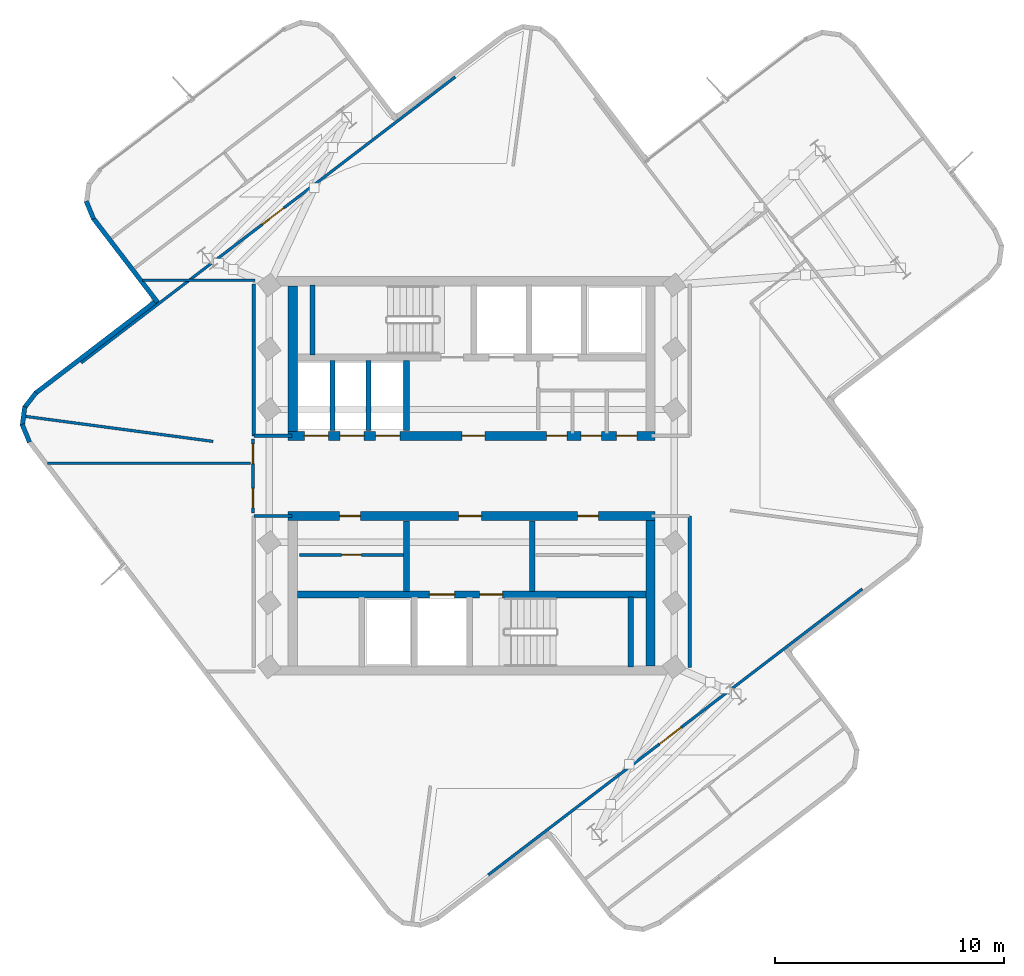
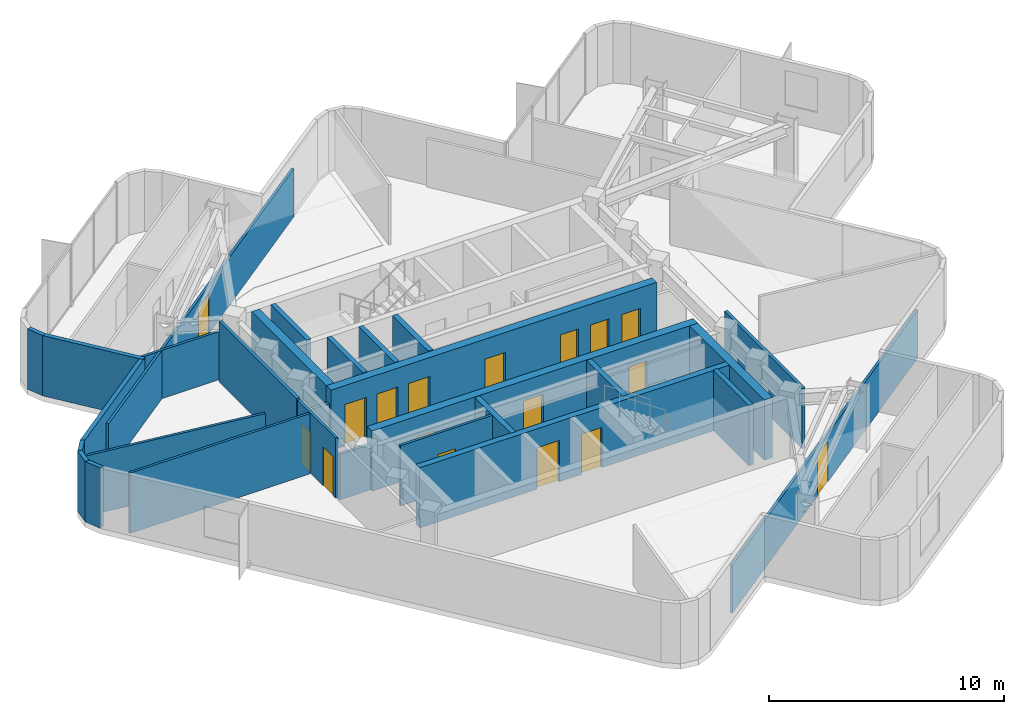
# One storey, part 4 of 8: 29 walls, 17 doors, 17 openings.
"""IFC4 building model written with IfcOpenShell, lengths in metres."""

from ifc_helpers import new_model, si_unit, direction, frame, frame_2d, origin, place, context, subcontext, project, spatial, rectangle, extrude, material, layer, layer_set, type_object, element, fill, save


model = new_model("IFC4")

# Units and contexts
model_context = context("Model", 3, precision=1e-05, world=origin(), true_north=direction((0.0, 1.0)))
body_context = subcontext(model_context, "Body", "Model", "MODEL_VIEW")
ifc_project = project(units=[si_unit("LENGTHUNIT", "METRE"), si_unit("AREAUNIT", "SQUARE_METRE"), si_unit("VOLUMEUNIT", "CUBIC_METRE"), si_unit("PLANEANGLEUNIT", "RADIAN"), si_unit("MASSUNIT", "GRAM", prefix="KILO")], contexts=[model_context])

# Site, building, storey
site_placement = place(None, origin())
site = spatial("IfcSite", under=ifc_project, at=site_placement, CompositionType="ELEMENT")
building_placement = place(site_placement, origin())
building = spatial("IfcBuilding", under=site, at=building_placement, Name="Solmarez Civic Tower", CompositionType="ELEMENT")
storey_placement = place(building_placement, frame((0.0, 0.0, 232.56005859375)))
storey = spatial("IfcBuildingStorey", under=building, at=storey_placement, Name="L62", CompositionType="ELEMENT", Elevation=232.56005859375)

# Wall, openings, doors
ifc_material_1 = material(Name="Concrete C50/60", Category="concrete")
ifc_layer_1 = layer(ifc_material_1, 0.39990234375)
ifc_layer_set_1 = layer_set([ifc_layer_1], Name="Concrete C50/60")
wall_type_1 = type_object("IfcWallType", Name="WALL-CORE-400", PredefinedType="SHEAR", material=ifc_layer_set_1)
wall_1_placement = place(storey_placement, frame((8.02001953125, 1.75, 0.0), z_axis=(0.0, 0.0, 1.0), x_axis=(-1.0, 0.0, 0.0)))
wall_1 = element("IfcWall", 1, at=wall_1_placement, inside=storey, type_object=wall_type_1, Name="L62 Split-Core Structural Wall NCW-S-L62", PredefinedType="SHEAR", context=body_context, shape_type="SweptSolid", body=[
    extrude(rectangle(XDim=16.0400390625, YDim=0.39990234375, at=frame_2d((8.02001953125, 0.0))), origin(), (0.0, 0.0, 1.0), 3.139892578125),
])
opening_1_placement = place(wall_1_placement, frame((7.449951171875, 0.0, 0.0)))
opening_1 = element("IfcOpeningElement", 2, at=opening_1_placement, cuts=wall_1, Name="Opening D-04", PredefinedType="OPENING", context=body_context, shape_type="SweptSolid", body=[
    extrude(rectangle(XDim=1.0, YDim=2.10009765625, at=frame_2d((0.5, 1.050048828125))), frame((0.0, 0.2099609375, 0.0), z_axis=(0.0, -1.0, 0.0), x_axis=(1.0, 0.0, 0.0)), (0.0, 0.0, 1.0), 0.419921875),
])
opening_2_placement = place(wall_1_placement, frame((14.284912109375, 0.0, 0.0)))
opening_2 = element("IfcOpeningElement", 3, at=opening_2_placement, cuts=wall_1, Name="Opening LD-01", PredefinedType="OPENING", context=body_context, shape_type="SweptSolid", body=[
    extrude(rectangle(XDim=1.050048828125, YDim=2.14990234375, at=frame_2d((0.52490234375, 1.074951171875))), frame((0.0, 0.2099609375, 0.0), z_axis=(0.0, -1.0, 0.0), x_axis=(1.0, 0.0, 0.0)), (0.0, 0.0, 1.0), 0.419921875),
])
opening_3_placement = place(wall_1_placement, frame((12.72509765625, 0.0, 0.0)))
opening_3 = element("IfcOpeningElement", 4, at=opening_3_placement, cuts=wall_1, Name="Opening LD-01", PredefinedType="OPENING", context=body_context, shape_type="SweptSolid", body=[
    extrude(rectangle(XDim=1.050048828125, YDim=2.14990234375, at=frame_2d((0.52490234375, 1.074951171875))), frame((0.0, 0.2099609375, 0.0), z_axis=(0.0, -1.0, 0.0), x_axis=(1.0, 0.0, 0.0)), (0.0, 0.0, 1.0), 0.419921875),
])
opening_4_placement = place(wall_1_placement, frame((11.1650390625, 0.0, 0.0)))
opening_4 = element("IfcOpeningElement", 5, at=opening_4_placement, cuts=wall_1, Name="Opening LD-01", PredefinedType="OPENING", context=body_context, shape_type="SweptSolid", body=[
    extrude(rectangle(XDim=1.050048828125, YDim=2.14990234375, at=frame_2d((0.52490234375, 1.074951171875))), frame((0.0, 0.2099609375, 0.0), z_axis=(0.0, -1.0, 0.0), x_axis=(1.0, 0.0, 0.0)), (0.0, 0.0, 1.0), 0.419921875),
])
opening_5_placement = place(wall_1_placement, frame((3.85009765625, 0.0, 0.0)))
opening_5 = element("IfcOpeningElement", 6, at=opening_5_placement, cuts=wall_1, Name="Opening D-09", PredefinedType="OPENING", context=body_context, shape_type="SweptSolid", body=[
    extrude(rectangle(XDim=0.89990234375, YDim=2.06005859375, at=frame_2d((0.449951171875, 1.030029296875))), frame((0.0, 0.2099609375, 0.0), z_axis=(0.0, -1.0, 0.0), x_axis=(1.0, 0.0, 0.0)), (0.0, 0.0, 1.0), 0.419921875),
])
opening_6_placement = place(wall_1_placement, frame((2.35009765625, 0.0, 0.0)))
opening_6 = element("IfcOpeningElement", 7, at=opening_6_placement, cuts=wall_1, Name="Opening D-09", PredefinedType="OPENING", context=body_context, shape_type="SweptSolid", body=[
    extrude(rectangle(XDim=0.89990234375, YDim=2.06005859375, at=frame_2d((0.449951171875, 1.030029296875))), frame((0.0, 0.2099609375, 0.0), z_axis=(0.0, -1.0, 0.0), x_axis=(1.0, 0.0, 0.0)), (0.0, 0.0, 1.0), 0.419921875),
])
opening_7_placement = place(wall_1_placement, frame((0.800048828125, 0.0, 0.0)))
opening_7 = element("IfcOpeningElement", 8, at=opening_7_placement, cuts=wall_1, Name="Opening D-09", PredefinedType="OPENING", context=body_context, shape_type="SweptSolid", body=[
    extrude(rectangle(XDim=0.89990234375, YDim=2.06005859375, at=frame_2d((0.449951171875, 1.030029296875))), frame((0.0, 0.2099609375, 0.0), z_axis=(0.0, -1.0, 0.0), x_axis=(1.0, 0.0, 0.0)), (0.0, 0.0, 1.0), 0.419921875),
])
ifc_material_2 = material(Name="Steel-Faced Acoustic Fire Door", Category="steel")
door_type_1 = type_object("IfcDoorType", Name="DOOR-FD60-1000", OperationType="NOTDEFINED", PredefinedType="DOOR", material=ifc_material_2)
door_1_placement = place(opening_1_placement, origin())
door_1 = element("IfcDoor", 9, at=door_1_placement, inside=storey, type_object=door_type_1, Name="L62 North Firefighting Lobby Door", OperationType="SINGLE_SWING_LEFT", OverallHeight=2.10009765625, OverallWidth=1.0, PredefinedType="DOOR", context=body_context, shape_type="SweptSolid", body=[
    extrude(rectangle(XDim=1.0, YDim=2.10009765625, at=frame_2d((0.5, 1.050048828125))), frame((0.0, 0.02490234375, 0.0), z_axis=(0.0, -1.0, 0.0), x_axis=(1.0, 0.0, 0.0)), (0.0, 0.0, 1.0), 0.050048828125),
])
fill(opening_1, door_1)
ifc_material_3 = material(Name="Fire-Rated Service Core Door", Category="wood")
door_type_2 = type_object("IfcDoorType", Name="DOOR-FD60-900", OperationType="NOTDEFINED", PredefinedType="DOOR", material=ifc_material_3)
door_2_placement = place(opening_5_placement, origin())
door_2 = element("IfcDoor", 10, at=door_2_placement, inside=storey, type_object=door_type_2, Name="L62 Core WC Door", OperationType="SINGLE_SWING_RIGHT", OverallHeight=2.06005859375, OverallWidth=0.89990234375, PredefinedType="DOOR", context=body_context, shape_type="SweptSolid", body=[
    extrude(rectangle(XDim=0.89990234375, YDim=2.06005859375, at=frame_2d((0.449951171875, 1.030029296875))), frame((0.0, 0.02490234375, 0.0), z_axis=(0.0, -1.0, 0.0), x_axis=(1.0, 0.0, 0.0)), (0.0, 0.0, 1.0), 0.050048828125),
])
fill(opening_5, door_2)
door_3_placement = place(opening_6_placement, origin())
door_3 = element("IfcDoor", 11, at=door_3_placement, inside=storey, type_object=door_type_2, Name="L62 Core CL Door", OperationType="SINGLE_SWING_LEFT", OverallHeight=2.06005859375, OverallWidth=0.89990234375, PredefinedType="DOOR", context=body_context, shape_type="SweptSolid", body=[
    extrude(rectangle(XDim=0.89990234375, YDim=2.06005859375, at=frame_2d((0.449951171875, 1.030029296875))), frame((0.0, 0.02490234375, 0.0), z_axis=(0.0, -1.0, 0.0), x_axis=(1.0, 0.0, 0.0)), (0.0, 0.0, 1.0), 0.050048828125),
])
fill(opening_6, door_3)
door_4_placement = place(opening_7_placement, origin())
door_4 = element("IfcDoor", 12, at=door_4_placement, inside=storey, type_object=door_type_2, Name="L62 Core IT Door", OperationType="SINGLE_SWING_LEFT", OverallHeight=2.06005859375, OverallWidth=0.89990234375, PredefinedType="DOOR", context=body_context, shape_type="SweptSolid", body=[
    extrude(rectangle(XDim=0.89990234375, YDim=2.06005859375, at=frame_2d((0.449951171875, 1.030029296875))), frame((0.0, 0.02490234375, 0.0), z_axis=(0.0, -1.0, 0.0), x_axis=(1.0, 0.0, 0.0)), (0.0, 0.0, 1.0), 0.050048828125),
])
fill(opening_7, door_4)
ifc_material_4 = material(Name="Bronze Passenger Lift Landing Sliding Door", Category="aluminium")
door_type_3 = type_object("IfcDoorType", Name="DOOR-LD-PAX-1050", OperationType="DOUBLE_DOOR_SLIDING", PredefinedType="DOOR", material=ifc_material_4)
door_5_placement = place(opening_2_placement, origin())
door_5 = element("IfcDoor", 13, at=door_5_placement, inside=storey, type_object=door_type_3, Name="L62 High-Rise Lift Landing Door PL-H1", OperationType="DOUBLE_DOOR_SLIDING", OverallHeight=2.14990234375, OverallWidth=1.050048828125, PredefinedType="DOOR", context=body_context, shape_type="SweptSolid", body=[
    extrude(rectangle(XDim=1.050048828125, YDim=2.14990234375, at=frame_2d((0.52490234375, 1.074951171875))), frame((0.0, 0.02490234375, 0.0), z_axis=(0.0, -1.0, 0.0), x_axis=(1.0, 0.0, 0.0)), (0.0, 0.0, 1.0), 0.050048828125),
])
fill(opening_2, door_5)
door_6_placement = place(opening_3_placement, origin())
door_6 = element("IfcDoor", 14, at=door_6_placement, inside=storey, type_object=door_type_3, Name="L62 High-Rise Lift Landing Door PL-H2", OperationType="DOUBLE_DOOR_SLIDING", OverallHeight=2.14990234375, OverallWidth=1.050048828125, PredefinedType="DOOR", context=body_context, shape_type="SweptSolid", body=[
    extrude(rectangle(XDim=1.050048828125, YDim=2.14990234375, at=frame_2d((0.52490234375, 1.074951171875))), frame((0.0, 0.02490234375, 0.0), z_axis=(0.0, -1.0, 0.0), x_axis=(1.0, 0.0, 0.0)), (0.0, 0.0, 1.0), 0.050048828125),
])
fill(opening_3, door_6)
door_7_placement = place(opening_4_placement, origin())
door_7 = element("IfcDoor", 15, at=door_7_placement, inside=storey, type_object=door_type_3, Name="L62 High-Rise Lift Landing Door PL-H3", OperationType="DOUBLE_DOOR_SLIDING", OverallHeight=2.14990234375, OverallWidth=1.050048828125, PredefinedType="DOOR", context=body_context, shape_type="SweptSolid", body=[
    extrude(rectangle(XDim=1.050048828125, YDim=2.14990234375, at=frame_2d((0.52490234375, 1.074951171875))), frame((0.0, 0.02490234375, 0.0), z_axis=(0.0, -1.0, 0.0), x_axis=(1.0, 0.0, 0.0)), (0.0, 0.0, 1.0), 0.050048828125),
])
fill(opening_4, door_7)

# Wall
wall_2_placement = place(storey_placement, frame((-7.820068359375, 1.949951171875, 0.0), z_axis=(0.0, 0.0, 1.0), x_axis=(0.0, 1.0, 0.0)))
element("IfcWall", 16, at=wall_2_placement, inside=storey, type_object=wall_type_1, Name="L62 Split-Core Structural Wall NCW-W-L62", PredefinedType="SHEAR", context=body_context, shape_type="SweptSolid", body=[
    extrude(rectangle(XDim=6.360107421875, YDim=0.39990234375, at=frame_2d((3.18017578125, 0.0))), origin(), (0.0, 0.0, 1.0), 3.139892578125),
])

# Wall, openings, doors
wall_3_placement = place(storey_placement, frame((-8.02001953125, -1.75, 0.0), z_axis=(0.0, 0.0, 1.0), x_axis=(1.0, 0.0, 0.0)))
wall_3 = element("IfcWall", 17, at=wall_3_placement, inside=storey, type_object=wall_type_1, Name="L62 Split-Core Structural Wall SCW-N-L62", PredefinedType="SHEAR", context=body_context, shape_type="SweptSolid", body=[
    extrude(rectangle(XDim=16.0400390625, YDim=0.39990234375, at=frame_2d((8.02001953125, 0.0))), origin(), (0.0, 0.0, 1.0), 3.139892578125),
])
opening_8_placement = place(wall_3_placement, frame((7.449951171875, 0.0, 0.0)))
opening_8 = element("IfcOpeningElement", 18, at=opening_8_placement, cuts=wall_3, Name="Opening D-04", PredefinedType="OPENING", context=body_context, shape_type="SweptSolid", body=[
    extrude(rectangle(XDim=1.0, YDim=2.10009765625, at=frame_2d((0.5, 1.050048828125))), frame((0.0, 0.2099609375, 0.0), z_axis=(0.0, -1.0, 0.0), x_axis=(1.0, 0.0, 0.0)), (0.0, 0.0, 1.0), 0.419921875),
])
opening_9_placement = place(wall_3_placement, frame((12.64990234375, 0.0, 0.0)))
opening_9 = element("IfcOpeningElement", 19, at=opening_9_placement, cuts=wall_3, Name="Opening D-09", PredefinedType="OPENING", context=body_context, shape_type="SweptSolid", body=[
    extrude(rectangle(XDim=0.89990234375, YDim=2.06005859375, at=frame_2d((0.449951171875, 1.030029296875))), frame((0.0, 0.2099609375, 0.0), z_axis=(0.0, -1.0, 0.0), x_axis=(1.0, 0.0, 0.0)), (0.0, 0.0, 1.0), 0.419921875),
])
opening_10_placement = place(wall_3_placement, frame((2.25, 0.0, 0.0)))
opening_10 = element("IfcOpeningElement", 20, at=opening_10_placement, cuts=wall_3, Name="Opening D-09", PredefinedType="OPENING", context=body_context, shape_type="SweptSolid", body=[
    extrude(rectangle(XDim=0.89990234375, YDim=2.06005859375, at=frame_2d((0.449951171875, 1.030029296875))), frame((0.0, 0.2099609375, 0.0), z_axis=(0.0, -1.0, 0.0), x_axis=(1.0, 0.0, 0.0)), (0.0, 0.0, 1.0), 0.419921875),
])
door_8_placement = place(opening_8_placement, origin())
door_8 = element("IfcDoor", 21, at=door_8_placement, inside=storey, type_object=door_type_1, Name="L62 South Firefighting Lobby Door", OperationType="SINGLE_SWING_RIGHT", OverallHeight=2.10009765625, OverallWidth=1.0, PredefinedType="DOOR", context=body_context, shape_type="SweptSolid", body=[
    extrude(rectangle(XDim=1.0, YDim=2.10009765625, at=frame_2d((0.5, 1.050048828125))), frame((0.0, 0.02490234375, 0.0), z_axis=(0.0, -1.0, 0.0), x_axis=(1.0, 0.0, 0.0)), (0.0, 0.0, 1.0), 0.050048828125),
])
fill(opening_8, door_8)
door_9_placement = place(opening_9_placement, origin())
door_9 = element("IfcDoor", 22, at=door_9_placement, inside=storey, type_object=door_type_2, Name="L62 Freed Hoistway Mailroom Door", OperationType="SINGLE_SWING_LEFT", OverallHeight=2.06005859375, OverallWidth=0.89990234375, PredefinedType="DOOR", context=body_context, shape_type="SweptSolid", body=[
    extrude(rectangle(XDim=0.89990234375, YDim=2.06005859375, at=frame_2d((0.449951171875, 1.030029296875))), frame((0.0, 0.02490234375, 0.0), z_axis=(0.0, -1.0, 0.0), x_axis=(1.0, 0.0, 0.0)), (0.0, 0.0, 1.0), 0.050048828125),
])
fill(opening_9, door_9)
door_10_placement = place(opening_10_placement, origin())
door_10 = element("IfcDoor", 23, at=door_10_placement, inside=storey, type_object=door_type_2, Name="L62 Staff Kitchenette Pantry Door", OperationType="SINGLE_SWING_RIGHT", OverallHeight=2.06005859375, OverallWidth=0.89990234375, PredefinedType="DOOR", context=body_context, shape_type="SweptSolid", body=[
    extrude(rectangle(XDim=0.89990234375, YDim=2.06005859375, at=frame_2d((0.449951171875, 1.030029296875))), frame((0.0, 0.02490234375, 0.0), z_axis=(0.0, -1.0, 0.0), x_axis=(1.0, 0.0, 0.0)), (0.0, 0.0, 1.0), 0.050048828125),
])
fill(opening_10, door_10)

# Walls
wall_4_placement = place(storey_placement, frame((7.820068359375, -1.949951171875, 0.0), z_axis=(0.0, 0.0, 1.0), x_axis=(0.0, -1.0, 0.0)))
element("IfcWall", 24, at=wall_4_placement, inside=storey, type_object=wall_type_1, Name="L62 Split-Core Structural Wall SCW-E-L62", PredefinedType="SHEAR", context=body_context, shape_type="SweptSolid", body=[
    extrude(rectangle(XDim=6.360107421875, YDim=0.39990234375, at=frame_2d((3.18017578125, 0.0))), origin(), (0.0, 0.0, 1.0), 3.139892578125),
])
ifc_material_5 = material(Name="Precast concrete C40/50", Category="concrete")
ifc_layer_2 = layer(ifc_material_5, 0.199951171875)
ifc_layer_set_2 = layer_set([ifc_layer_2], Name="Precast concrete C40/50")
wall_type_2 = type_object("IfcWallType", Name="WALL-EXT-200", PredefinedType="SOLIDWALL", material=ifc_layer_set_2)
wall_5_placement = place(storey_placement, frame((-19.326904296875, 1.47802734375, 0.0), z_axis=(0.0, 0.0, 1.0), x_axis=(-0.382171551451, 0.924091394431, 0.0)))
element("IfcWall", 25, at=wall_5_placement, inside=storey, type_object=wall_type_2, Name="L62 Exterior Precast Wall 7", PredefinedType="SOLIDWALL", context=body_context, shape_type="SweptSolid", body=[
    extrude(rectangle(XDim=0.83740234375, YDim=0.199951171875, at=frame_2d((0.418701171875, 0.0))), origin(), (0.0, 0.0, 1.0), 3.139892578125),
])
wall_6_placement = place(storey_placement, frame((-19.639892578125, 2.2041015625, 0.0), z_axis=(0.0, 0.0, 1.0), x_axis=(0.130806653943, 0.99140789753, 0.0)))
element("IfcWall", 26, at=wall_6_placement, inside=storey, type_object=wall_type_2, Name="L62 Exterior Precast Wall 8", PredefinedType="SOLIDWALL", context=body_context, shape_type="SweptSolid", body=[
    extrude(rectangle(XDim=0.824951171875, YDim=0.199951171875, at=frame_2d((0.41259765625, 0.0))), origin(), (0.0, 0.0, 1.0), 3.139892578125),
])
wall_7_placement = place(storey_placement, frame((-19.550048828125, 2.97705078125, 0.0), z_axis=(0.0, 0.0, 1.0), x_axis=(0.609274558022, 0.792959338773, 0.0)))
element("IfcWall", 27, at=wall_7_placement, inside=storey, type_object=wall_type_2, Name="L62 Exterior Precast Wall 9", PredefinedType="SOLIDWALL", context=body_context, shape_type="SweptSolid", body=[
    extrude(rectangle(XDim=0.838623046875, YDim=0.199951171875, at=frame_2d((0.41943359375, 0.0))), origin(), (0.0, 0.0, 1.0), 3.139892578125),
])
wall_8_placement = place(storey_placement, frame((-19.073974609375, 3.60693359375, 0.0), z_axis=(0.0, 0.0, 1.0), x_axis=(0.794465731546, 0.607308983466, 0.0)))
element("IfcWall", 28, at=wall_8_placement, inside=storey, type_object=wall_type_2, Name="L62 Exterior Precast Wall 10", PredefinedType="SOLIDWALL", context=body_context, shape_type="SweptSolid", body=[
    extrude(rectangle(XDim=6.742919921875, YDim=0.199951171875, at=frame_2d((3.37158203125, 0.0))), origin(), (0.0, 0.0, 1.0), 3.139892578125),
])
wall_9_placement = place(storey_placement, frame((-13.73193359375, 7.589111328125, 0.0), z_axis=(0.0, 0.0, 1.0), x_axis=(-0.607428636372, 0.794374251669, 0.0)))
element("IfcWall", 29, at=wall_9_placement, inside=storey, type_object=wall_type_2, Name="L62 Exterior Precast Wall 13", PredefinedType="SOLIDWALL", context=body_context, shape_type="SweptSolid", body=[
    extrude(rectangle(XDim=4.642578125, YDim=0.199951171875, at=frame_2d((2.3212890625, 0.0))), origin(), (0.0, 0.0, 1.0), 3.139892578125),
])
wall_10_placement = place(storey_placement, frame((-16.527099609375, 11.23388671875, 0.0), z_axis=(0.0, 0.0, 1.0), x_axis=(-0.381408676087, 0.924406524104, 0.0)))
element("IfcWall", 30, at=wall_10_placement, inside=storey, type_object=wall_type_2, Name="L62 Exterior Precast Wall 14", PredefinedType="SOLIDWALL", context=body_context, shape_type="SweptSolid", body=[
    extrude(rectangle(XDim=0.838623046875, YDim=0.199951171875, at=frame_2d((0.41943359375, 0.0))), origin(), (0.0, 0.0, 1.0), 3.139892578125),
])
ifc_material_6 = material(Name="Gypsum Board Acoustic Steel-Stud Partition", Category="steel")
ifc_layer_3 = layer(ifc_material_6, 0.14990234375)
ifc_layer_set_3 = layer_set([ifc_layer_3], Name="Gypsum Board Acoustic Steel-Stud Partition")
wall_type_3 = type_object("IfcWallType", Name="WALL-INT-FIRE-150", PredefinedType="PARTITIONING", material=ifc_layer_set_3)
wall_11_placement = place(storey_placement, frame((-9.52001953125, 1.75, 0.0), z_axis=(0.0, 0.0, 1.0), x_axis=(0.0, 1.0, 0.0)))
element("IfcWall", 31, at=wall_11_placement, inside=storey, type_object=wall_type_3, Name="L62 Interior Partition CHW-L62-WN1", PredefinedType="PARTITIONING", context=body_context, shape_type="SweptSolid", body=[
    extrude(rectangle(XDim=6.6298828125, YDim=0.14990234375, at=frame_2d((3.31494140625, 0.0))), origin(), (0.0, 0.0, 1.0), 3.139892578125),
])
for number, where, z_axis, x_axis, name in (
    (32, (-7.85009765625, 1.75, 0.0), (0.0, 0.0, 1.0), (-1.0, 0.0, 0.0), "L62 Interior Partition CHW-L62-WN3"),
    (33, (-7.85009765625, -1.75, 0.0), (0.0, 0.0, 1.0), (-1.0, 0.0, 0.0), "L62 Interior Partition CHW-L62-WS3"),
):
    element("IfcWall", number, at=place(storey_placement, frame(where, z_axis=z_axis, x_axis=x_axis)), inside=storey, type_object=wall_type_3, Name=name, PredefinedType="PARTITIONING", context=body_context, shape_type="SweptSolid", body=[
        extrude(rectangle(XDim=1.669921875, YDim=0.14990234375, at=frame_2d((0.8349609375, 0.0))), origin(), (0.0, 0.0, 1.0), 2.369873046875),
    ])
wall_12_placement = place(storey_placement, frame((9.52001953125, -8.3798828125, 0.0), z_axis=(0.0, 0.0, 1.0), x_axis=(0.0, 1.0, 0.0)))
element("IfcWall", 34, at=wall_12_placement, inside=storey, type_object=wall_type_3, Name="L62 Interior Partition CHW-L62-ES1", PredefinedType="PARTITIONING", context=body_context, shape_type="SweptSolid", body=[
    extrude(rectangle(XDim=6.6298828125, YDim=0.14990234375, at=frame_2d((3.31494140625, 0.0))), origin(), (0.0, 0.0, 1.0), 3.139892578125),
])

# Wall, opening, door
ifc_layer_4 = layer(ifc_material_6, 0.1201171875)
ifc_layer_set_4 = layer_set([ifc_layer_4], Name="Gypsum Board Acoustic Steel-Stud Partition")
wall_type_4 = type_object("IfcWallType", Name="WALL-INT-PART-120", PredefinedType="PARTITIONING", material=ifc_layer_set_4)
wall_13_placement = place(storey_placement, frame((-7.52001953125, -3.449951171875, 0.0), z_axis=(0.0, 0.0, 1.0), x_axis=(1.0, 0.0, 0.0)))
wall_13 = element("IfcWall", 35, at=wall_13_placement, inside=storey, type_object=wall_type_4, Name="L62 Interior Partition PT-FPLM-L62", PredefinedType="PARTITIONING", context=body_context, shape_type="SweptSolid", body=[
    extrude(rectangle(XDim=4.5400390625, YDim=0.1201171875, at=frame_2d((2.27001953125, 0.0))), origin(), (0.0, 0.0, 1.0), 3.139892578125),
])
opening_11_placement = place(wall_13_placement, frame((1.840087890625, 0.0, 0.0)))
opening_11 = element("IfcOpeningElement", 36, at=opening_11_placement, cuts=wall_13, Name="Opening D-14", PredefinedType="OPENING", context=body_context, shape_type="SweptSolid", body=[
    extrude(rectangle(XDim=0.860107421875, YDim=2.0400390625, at=frame_2d((0.43017578125, 1.02001953125))), frame((0.0, 0.070068359375, 0.0), z_axis=(0.0, -1.0, 0.0), x_axis=(1.0, 0.0, 0.0)), (0.0, 0.0, 1.0), 0.14013671875),
])
ifc_material_7 = material(Name="Timber Storage and Pantry Door", Category="wood")
door_type_4 = type_object("IfcDoorType", Name="DOOR-INT-850", OperationType="NOTDEFINED", PredefinedType="DOOR", material=ifc_material_7)
door_11_placement = place(opening_11_placement, origin())
door_11 = element("IfcDoor", 37, at=door_11_placement, inside=storey, type_object=door_type_4, Name="L62 Directorate Copy Office Door", OperationType="SINGLE_SWING_RIGHT", OverallHeight=2.0400390625, OverallWidth=0.860107421875, PredefinedType="DOOR", context=body_context, shape_type="SweptSolid", body=[
    extrude(rectangle(XDim=0.860107421875, YDim=2.0400390625, at=frame_2d((0.43017578125, 1.02001953125))), frame((0.0, 0.02490234375, 0.0), z_axis=(0.0, -1.0, 0.0), x_axis=(1.0, 0.0, 0.0)), (0.0, 0.0, 1.0), 0.050048828125),
])
fill(opening_11, door_11)

# Walls
wall_14_placement = place(storey_placement, frame((-18.528076171875, 0.550048828125, 0.0), z_axis=(0.0, 0.0, 1.0), x_axis=(1.0, 0.0, 0.0)))
element("IfcWall", 38, at=wall_14_placement, inside=storey, type_object=wall_type_4, Name="L62 Interior Partition PT-L62-WH-DIV", PredefinedType="PARTITIONING", context=body_context, shape_type="SweptSolid", body=[
    extrude(rectangle(XDim=8.8681640625, YDim=0.1201171875, at=frame_2d((4.43408203125, 0.0))), origin(), (0.0, 0.0, 1.0), 3.139892578125),
])
wall_15_placement = place(storey_placement, frame((-14.385986328125, 8.550048828125, 0.0), z_axis=(0.0, 0.0, 1.0), x_axis=(1.0, 0.0, 0.0)))
element("IfcWall", 39, at=wall_15_placement, inside=storey, type_object=wall_type_4, Name="L62 Interior Partition PT-L62-WH-BN", PredefinedType="PARTITIONING", context=body_context, shape_type="SweptSolid", body=[
    extrude(rectangle(XDim=4.906005859375, YDim=0.1201171875, at=frame_2d((2.453125, 0.0))), origin(), (0.0, 0.0, 1.0), 2.510009765625),
])

# Wall, openings, doors
wall_16_placement = place(storey_placement, frame((-9.56005859375, -1.6201171875, 0.0), z_axis=(0.0, 0.0, 1.0), x_axis=(0.0, 1.0, 0.0)))
wall_16 = element("IfcWall", 40, at=wall_16_placement, inside=storey, type_object=wall_type_4, Name="L62 Interior Partition PT-L62-WH-ENT", PredefinedType="PARTITIONING", context=body_context, shape_type="SweptSolid", body=[
    extrude(rectangle(XDim=3.240234375, YDim=0.1201171875, at=frame_2d((1.6201171875, 0.0))), origin(), (0.0, 0.0, 1.0), 3.139892578125),
])
opening_12_placement = place(wall_16_placement, frame((0.219970703125, 0.0, 0.0)))
opening_12 = element("IfcOpeningElement", 41, at=opening_12_placement, cuts=wall_16, Name="Opening D-14", PredefinedType="OPENING", context=body_context, shape_type="SweptSolid", body=[
    extrude(rectangle(XDim=0.860107421875, YDim=2.0400390625, at=frame_2d((0.43017578125, 1.02001953125))), frame((0.0, 0.070068359375, 0.0), z_axis=(0.0, -1.0, 0.0), x_axis=(1.0, 0.0, 0.0)), (0.0, 0.0, 1.0), 0.14013671875),
])
opening_13_placement = place(wall_16_placement, frame((2.159912109375, 0.0, 0.0)))
opening_13 = element("IfcOpeningElement", 42, at=opening_13_placement, cuts=wall_16, Name="Opening D-14", PredefinedType="OPENING", context=body_context, shape_type="SweptSolid", body=[
    extrude(rectangle(XDim=0.860107421875, YDim=2.0400390625, at=frame_2d((0.43017578125, 1.02001953125))), frame((0.0, 0.070068359375, 0.0), z_axis=(0.0, -1.0, 0.0), x_axis=(1.0, 0.0, 0.0)), (0.0, 0.0, 1.0), 0.14013671875),
])
door_12_placement = place(opening_12_placement, origin())
door_12 = element("IfcDoor", 43, at=door_12_placement, inside=storey, type_object=door_type_4, Name="L62 Policy Administration Office West Second Door", OperationType="SINGLE_SWING_RIGHT", OverallHeight=2.0400390625, OverallWidth=0.860107421875, PredefinedType="DOOR", context=body_context, shape_type="SweptSolid", body=[
    extrude(rectangle(XDim=0.860107421875, YDim=2.0400390625, at=frame_2d((0.43017578125, 1.02001953125))), frame((0.0, 0.02490234375, 0.0), z_axis=(0.0, -1.0, 0.0), x_axis=(1.0, 0.0, 0.0)), (0.0, 0.0, 1.0), 0.050048828125),
])
fill(opening_12, door_12)
door_13_placement = place(opening_13_placement, origin())
door_13 = element("IfcDoor", 44, at=door_13_placement, inside=storey, type_object=door_type_4, Name="L62 Legal Study Room West First Door", OperationType="SINGLE_SWING_LEFT", OverallHeight=2.0400390625, OverallWidth=0.860107421875, PredefinedType="DOOR", context=body_context, shape_type="SweptSolid", body=[
    extrude(rectangle(XDim=0.860107421875, YDim=2.0400390625, at=frame_2d((0.43017578125, 1.02001953125))), frame((0.0, 0.02490234375, 0.0), z_axis=(0.0, -1.0, 0.0), x_axis=(1.0, 0.0, 0.0)), (0.0, 0.0, 1.0), 0.050048828125),
])
fill(opening_13, door_13)

# Wall
wall_17_placement = place(storey_placement, frame((-11.300048828125, 1.508056640625, 0.0), z_axis=(0.0, 0.0, 1.0), x_axis=(-0.99121735818, 0.132242764804, 0.0)))
element("IfcWall", 45, at=wall_17_placement, inside=storey, type_object=wall_type_4, Name="L62 Interior Partition PT-L62-QDIV-2", PredefinedType="PARTITIONING", context=body_context, shape_type="SweptSolid", body=[
    extrude(rectangle(XDim=8.294677734375, YDim=0.1201171875, at=frame_2d((4.1474609375, 0.0))), origin(), (0.0, 0.0, 1.0), 3.139892578125),
])

# Wall, opening, door
wall_18_placement = place(storey_placement, frame((-17.068115234375, 4.93896484375, 0.0), z_axis=(0.0, 0.0, 1.0), x_axis=(0.794433927634, 0.607350586255, 0.0)))
wall_18 = element("IfcWall", 46, at=wall_18_placement, inside=storey, type_object=wall_type_4, Name="L62 Interior Partition PT-L62-N-ENT", PredefinedType="PARTITIONING", context=body_context, shape_type="SweptSolid", body=[
    extrude(rectangle(XDim=20.57958984375, YDim=0.1201171875, at=frame_2d((10.289794921875, 0.0))), origin(), (0.0, 0.0, 1.0), 2.510009765625),
])
opening_14_placement = place(wall_18_placement, frame((9.9599609375, 0.0, 0.0)))
opening_14 = element("IfcOpeningElement", 47, at=opening_14_placement, cuts=wall_18, Name="Opening D-11", PredefinedType="OPENING", context=body_context, shape_type="SweptSolid", body=[
    extrude(rectangle(XDim=1.199951171875, YDim=2.10009765625, at=frame_2d((0.60009765625, 1.050048828125))), frame((0.0, 0.070068359375, 0.0), z_axis=(0.0, -1.0, 0.0), x_axis=(1.0, 0.0, 0.0)), (0.0, 0.0, 1.0), 0.14013671875),
])
ifc_material_8 = material(Name="Glazed-Vision Acoustic Chamber Door", Category="wood")
door_type_5 = type_object("IfcDoorType", Name="DOOR-INT-1200", OperationType="NOTDEFINED", PredefinedType="DOOR", material=ifc_material_8)
door_14_placement = place(opening_14_placement, origin())
door_14 = element("IfcDoor", 48, at=door_14_placement, inside=storey, type_object=door_type_5, Name="L62 Public Reading Room First North Door", OperationType="SINGLE_SWING_LEFT", OverallHeight=2.10009765625, OverallWidth=1.199951171875, PredefinedType="DOOR", context=body_context, shape_type="SweptSolid", body=[
    extrude(rectangle(XDim=1.199951171875, YDim=2.10009765625, at=frame_2d((0.60009765625, 1.050048828125))), frame((0.0, 0.02490234375, 0.0), z_axis=(0.0, -1.0, 0.0), x_axis=(1.0, 0.0, 0.0)), (0.0, 0.0, 1.0), 0.050048828125),
])
fill(opening_14, door_14)

wall_19_placement = place(storey_placement, frame((17.068115234375, -4.93896484375, 0.0), z_axis=(0.0, 0.0, 1.0), x_axis=(-0.794433927634, -0.607350586255, 0.0)))
wall_19 = element("IfcWall", 49, at=wall_19_placement, inside=storey, type_object=wall_type_4, Name="L62 Interior Partition PT-L62-S-ENT", PredefinedType="PARTITIONING", context=body_context, shape_type="SweptSolid", body=[
    extrude(rectangle(XDim=20.57958984375, YDim=0.1201171875, at=frame_2d((10.289794921875, 0.0))), origin(), (0.0, 0.0, 1.0), 2.510009765625),
])
opening_15_placement = place(wall_19_placement, frame((9.9599609375, 0.0, 0.0)))
opening_15 = element("IfcOpeningElement", 50, at=opening_15_placement, cuts=wall_19, Name="Opening D-11", PredefinedType="OPENING", context=body_context, shape_type="SweptSolid", body=[
    extrude(rectangle(XDim=1.199951171875, YDim=2.10009765625, at=frame_2d((0.60009765625, 1.050048828125))), frame((0.0, 0.070068359375, 0.0), z_axis=(0.0, -1.0, 0.0), x_axis=(1.0, 0.0, 0.0)), (0.0, 0.0, 1.0), 0.14013671875),
])
door_15_placement = place(opening_15_placement, origin())
door_15 = element("IfcDoor", 51, at=door_15_placement, inside=storey, type_object=door_type_5, Name="L62 Policy Administration Office First South Door", OperationType="SINGLE_SWING_LEFT", OverallHeight=2.10009765625, OverallWidth=1.199951171875, PredefinedType="DOOR", context=body_context, shape_type="SweptSolid", body=[
    extrude(rectangle(XDim=1.199951171875, YDim=2.10009765625, at=frame_2d((0.60009765625, 1.050048828125))), frame((0.0, 0.02490234375, 0.0), z_axis=(0.0, -1.0, 0.0), x_axis=(1.0, 0.0, 0.0)), (0.0, 0.0, 1.0), 0.050048828125),
])
fill(opening_15, door_15)

# Wall, openings, doors
ifc_layer_5 = layer(ifc_material_1, 0.300048828125)
ifc_layer_set_5 = layer_set([ifc_layer_5], Name="Concrete C50/60")
wall_type_5 = type_object("IfcWallType", Name="WALL-STR-300", PredefinedType="SOLIDWALL", material=ifc_layer_set_5)
wall_20_placement = place(storey_placement, frame((-7.6201171875, -5.179931640625, 0.0), z_axis=(0.0, 0.0, 1.0), x_axis=(1.0, 0.0, 0.0)))
wall_20 = element("IfcWall", 52, at=wall_20_placement, inside=storey, type_object=wall_type_5, Name="L62 Split-Core Structural Wall SCW-M-L62", PredefinedType="SOLIDWALL", context=body_context, shape_type="SweptSolid", body=[
    extrude(rectangle(XDim=15.240234375, YDim=0.300048828125, at=frame_2d((7.6201171875, 0.0))), origin(), (0.0, 0.0, 1.0), 3.139892578125),
])
opening_16_placement = place(wall_20_placement, frame((5.77001953125, 0.0, 0.0)))
opening_16 = element("IfcOpeningElement", 53, at=opening_16_placement, cuts=wall_20, Name="Opening LD-02", PredefinedType="OPENING", context=body_context, shape_type="SweptSolid", body=[
    extrude(rectangle(XDim=1.10009765625, YDim=2.14990234375, at=frame_2d((0.550048828125, 1.074951171875))), frame((0.0, 0.159912109375, 0.0), z_axis=(0.0, -1.0, 0.0), x_axis=(1.0, 0.0, 0.0)), (0.0, 0.0, 1.0), 0.320068359375),
])
opening_17_placement = place(wall_20_placement, frame((7.969970703125, 0.0, 0.0)))
opening_17 = element("IfcOpeningElement", 54, at=opening_17_placement, cuts=wall_20, Name="Opening D-05", PredefinedType="OPENING", context=body_context, shape_type="SweptSolid", body=[
    extrude(rectangle(XDim=1.0, YDim=2.10009765625, at=frame_2d((0.5, 1.050048828125))), frame((0.0, 0.159912109375, 0.0), z_axis=(0.0, -1.0, 0.0), x_axis=(1.0, 0.0, 0.0)), (0.0, 0.0, 1.0), 0.320068359375),
])
ifc_material_9 = material(Name="Fire-Rated Stairwell Exit Door", Category="wood")
door_type_6 = type_object("IfcDoorType", Name="DOOR-FD90-1000", OperationType="NOTDEFINED", PredefinedType="DOOR", material=ifc_material_9)
door_16_placement = place(opening_17_placement, origin())
door_16 = element("IfcDoor", 55, at=door_16_placement, inside=storey, type_object=door_type_6, Name="L62 South Exit Stair Door ST-2", OperationType="SINGLE_SWING_RIGHT", OverallHeight=2.10009765625, OverallWidth=1.0, PredefinedType="DOOR", context=body_context, shape_type="SweptSolid", body=[
    extrude(rectangle(XDim=1.0, YDim=2.10009765625, at=frame_2d((0.5, 1.050048828125))), frame((0.0, 0.02490234375, 0.0), z_axis=(0.0, -1.0, 0.0), x_axis=(1.0, 0.0, 0.0)), (0.0, 0.0, 1.0), 0.050048828125),
])
fill(opening_17, door_16)
ifc_material_10 = material(Name="Stainless Firefighting Lift Landing Sliding Door", Category="aluminium")
door_type_7 = type_object("IfcDoorType", Name="DOOR-LD-FF-1100", OperationType="DOUBLE_DOOR_SLIDING", PredefinedType="DOOR", material=ifc_material_10)
door_17_placement = place(opening_16_placement, origin())
door_17 = element("IfcDoor", 56, at=door_17_placement, inside=storey, type_object=door_type_7, Name="L62 Firefighting Lift Landing Door FFL-2", OperationType="DOUBLE_DOOR_SLIDING", OverallHeight=2.14990234375, OverallWidth=1.10009765625, PredefinedType="DOOR", context=body_context, shape_type="SweptSolid", body=[
    extrude(rectangle(XDim=1.10009765625, YDim=2.14990234375, at=frame_2d((0.550048828125, 1.074951171875))), frame((0.0, 0.02490234375, 0.0), z_axis=(0.0, -1.0, 0.0), x_axis=(1.0, 0.0, 0.0)), (0.0, 0.0, 1.0), 0.050048828125),
])
fill(opening_16, door_17)

# Walls
for number, where, z_axis, x_axis, name in (
    (57, (-6.949951171875, 5.280029296875, 0.0), (0.0, 0.0, 1.0), (0.0, 1.0, 0.0), "L62 Split-Core Structural Wall SHW-NW-L62"),
    (58, (6.949951171875, -8.340087890625, 0.0), (0.0, 0.0, 1.0), (0.0, 1.0, 0.0), "L62 Split-Core Structural Wall SHW-SE-L62"),
):
    element("IfcWall", number, at=place(storey_placement, frame(where, z_axis=z_axis, x_axis=x_axis)), inside=storey, type_object=wall_type_5, Name=name, PredefinedType="SOLIDWALL", context=body_context, shape_type="SweptSolid", body=[
        extrude(rectangle(XDim=3.06005859375, YDim=0.219970703125, at=frame_2d((1.530029296875, 0.0))), origin(), (0.0, 0.0, 1.0), 3.139892578125),
    ])
for number, where, z_axis, x_axis, name in (
    (59, (-2.85009765625, 1.97998046875, 0.0), (0.0, 0.0, 1.0), (0.0, 1.0, 0.0), "L62 Split-Core Structural Wall SHW-NL1-L62"),
    (60, (-2.85009765625, -5.050048828125, 0.0), (0.0, 0.0, 1.0), (0.0, 1.0, 0.0), "L62 Split-Core Structural Wall SHW-SL1-L62"),
    (61, (2.64990234375, -5.050048828125, 0.0), (0.0, 0.0, 1.0), (0.0, 1.0, 0.0), "L62 Split-Core Structural Wall SHW-SL2-L62"),
):
    element("IfcWall", number, at=place(storey_placement, frame(where, z_axis=z_axis, x_axis=x_axis)), inside=storey, type_object=wall_type_5, Name=name, PredefinedType="SOLIDWALL", context=body_context, shape_type="SweptSolid", body=[
        extrude(rectangle(XDim=3.070068359375, YDim=0.25, at=frame_2d((1.53515625, 0.0))), origin(), (0.0, 0.0, 1.0), 3.139892578125),
    ])
for number, where, z_axis, x_axis, name in (
    (62, (-6.080078125, 1.97998046875, 0.0), (0.0, 0.0, 1.0), (0.0, 1.0, 0.0), "L62 Split-Core Structural Wall SHW-PLH-L62-1"),
    (63, (-4.52001953125, 1.97998046875, 0.0), (0.0, 0.0, 1.0), (0.0, 1.0, 0.0), "L62 Split-Core Structural Wall SHW-PLH-L62-2"),
):
    element("IfcWall", number, at=place(storey_placement, frame(where, z_axis=z_axis, x_axis=x_axis)), inside=storey, type_object=wall_type_5, Name=name, PredefinedType="SOLIDWALL", context=body_context, shape_type="SweptSolid", body=[
        extrude(rectangle(XDim=3.070068359375, YDim=0.219970703125, at=frame_2d((1.53515625, 0.0))), origin(), (0.0, 0.0, 1.0), 3.139892578125),
    ])

save(model, "model.ifc")
